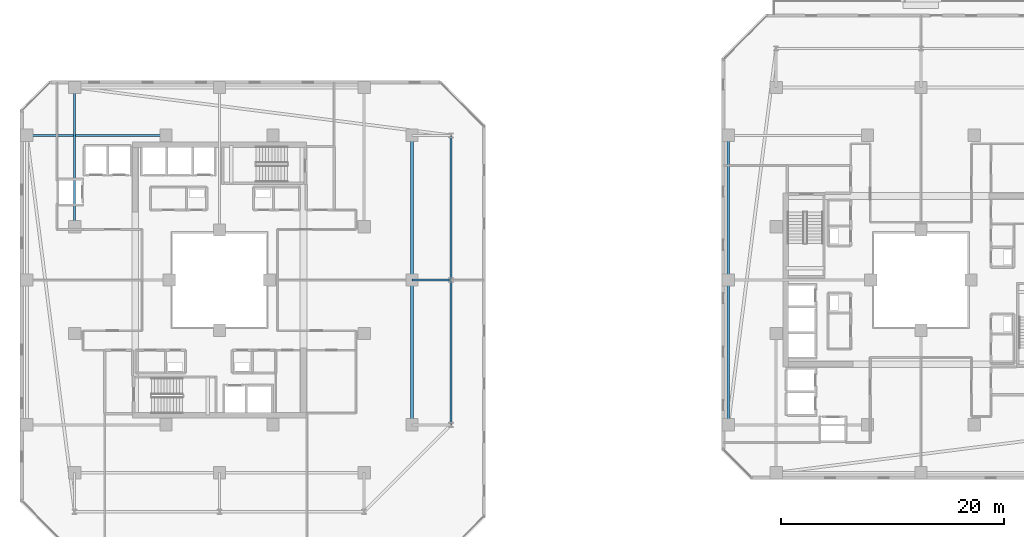
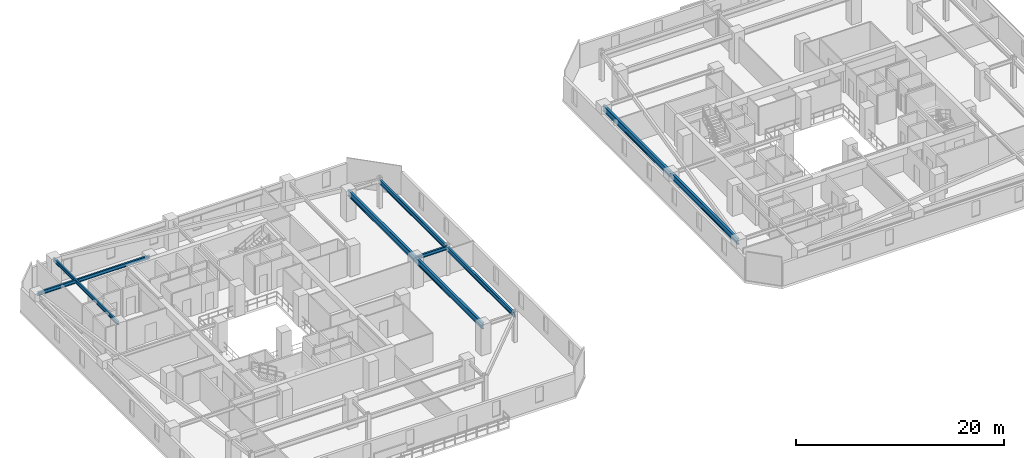
# One storey, part 7 of 32: 9 beams.
"""IFC4 building model written with IfcOpenShell, lengths in metres."""

from ifc_helpers import new_model, si_unit, direction, frame, origin, origin_2d, place, context, subcontext, project, spatial, i_section, extrude, material, material_profile, profile_set, type_object, element, save


model = new_model("IFC4")

# Units and contexts
model_context = context("Model", 3, precision=1e-05, world=origin(), true_north=direction((0.0, 1.0)))
body_context = subcontext(model_context, "Body", "Model", "MODEL_VIEW")
ifc_project = project(units=[si_unit("LENGTHUNIT", "METRE"), si_unit("AREAUNIT", "SQUARE_METRE"), si_unit("VOLUMEUNIT", "CUBIC_METRE"), si_unit("PLANEANGLEUNIT", "RADIAN"), si_unit("MASSUNIT", "GRAM", prefix="KILO")], contexts=[model_context])

# Site, building, storey
site_placement = place(None, origin())
site = spatial("IfcSite", under=ifc_project, at=site_placement, CompositionType="ELEMENT")
building_placement = place(site_placement, origin())
building = spatial("IfcBuilding", under=site, at=building_placement, Name="Thornwick Lancets Civic Towers", CompositionType="ELEMENT")
storey_placement = place(building_placement, frame((0.0, 0.0, 152.699951171875)))
storey = spatial("IfcBuildingStorey", under=building, at=storey_placement, Name="L40", CompositionType="ELEMENT", Elevation=152.699951171875)

# Beams
ifc_material = material(Name="Steel S355JR", Category="steel")
ifc_material_profile_1 = material_profile(ifc_material, i_section(OverallWidth=0.210693359375, OverallDepth=0.53955078125, WebThickness=0.01171875, FlangeThickness=0.018798828125, FilletRadius=0.0126953125, at=origin_2d()), Name="UKB 533x210x109")
ifc_profile_set_1 = profile_set([ifc_material_profile_1], Name="Steel S355JR")
beam_type_1 = type_object("IfcBeamType", Name="BM_EDGE_533_109", PredefinedType="SPANDREL", material=ifc_profile_set_1)
beam_1_placement = place(storey_placement, frame((46.300048828125, 14.0, 3.09033203125), z_axis=(0.0, 1.0, 0.0), x_axis=(-1.0, 0.0, 0.0)))
element("IfcBeam", 1, at=beam_1_placement, inside=storey, type_object=beam_type_1, Name="BM-EDGE-L40-A-S1-1", PredefinedType="SPANDREL", context=body_context, shape_type="SweptSolid", body=[
    extrude(i_section(OverallWidth=0.210693359375, OverallDepth=0.53955078125, WebThickness=0.01171875, FlangeThickness=0.018798828125, FilletRadius=0.0126953125, at=origin_2d()), origin(), (0.0, 0.0, 1.0), 13.0),
])
beam_2_placement = place(storey_placement, frame((46.300048828125, 27.080078125, 3.09033203125), z_axis=(0.0, 1.0, 0.0), x_axis=(-1.0, 0.0, 0.0)))
element("IfcBeam", 2, at=beam_2_placement, inside=storey, type_object=beam_type_1, Name="BM-EDGE-L40-A-S1-2", PredefinedType="SPANDREL", context=body_context, shape_type="SweptSolid", body=[
    extrude(i_section(OverallWidth=0.210693359375, OverallDepth=0.53955078125, WebThickness=0.01171875, FlangeThickness=0.018798828125, FilletRadius=0.0126953125, at=origin_2d()), origin(), (0.0, 0.0, 1.0), 12.919921875),
])
ifc_material_profile_2 = material_profile(ifc_material, i_section(OverallWidth=0.255859375, OverallDepth=0.69287109375, WebThickness=0.014404296875, FlangeThickness=0.023681640625, FilletRadius=0.01513671875, at=origin_2d()), Name="UKB 686x254x170")
ifc_profile_set_2 = profile_set([ifc_material_profile_2], Name="Steel S355JR")
beam_type_2 = type_object("IfcBeamType", Name="BM_GIRD_686_170", PredefinedType="BEAM", material=ifc_profile_set_2)
beam_3_placement = place(storey_placement, frame((42.800048828125, 14.0, 3.013427734375), z_axis=(0.0, 1.0, 0.0), x_axis=(-1.0, 0.0, 0.0)))
element("IfcBeam", 3, at=beam_3_placement, inside=storey, type_object=beam_type_2, Name="BM-SPINE-L40-A-3-4", PredefinedType="BEAM", context=body_context, shape_type="SweptSolid", body=[
    extrude(i_section(OverallWidth=0.255859375, OverallDepth=0.69287109375, WebThickness=0.014404296875, FlangeThickness=0.023681640625, FilletRadius=0.01513671875, at=origin_2d()), origin(), (0.0, 0.0, 1.0), 13.0),
])
beam_4_placement = place(storey_placement, frame((42.800048828125, 27.080078125, 3.013427734375), z_axis=(0.0, 1.0, 0.0), x_axis=(-1.0, 0.0, 0.0)))
element("IfcBeam", 4, at=beam_4_placement, inside=storey, type_object=beam_type_2, Name="BM-SPINE-L40-A-4-5", PredefinedType="BEAM", context=body_context, shape_type="SweptSolid", body=[
    extrude(i_section(OverallWidth=0.255859375, OverallDepth=0.69287109375, WebThickness=0.014404296875, FlangeThickness=0.023681640625, FilletRadius=0.01513671875, at=origin_2d()), origin(), (0.0, 0.0, 1.0), 12.919921875),
])
beam_5_placement = place(storey_placement, frame((71.199951171875, 14.0, 3.013427734375), z_axis=(0.0, 1.0, 0.0), x_axis=(-1.0, 0.0, 0.0)))
element("IfcBeam", 5, at=beam_5_placement, inside=storey, type_object=beam_type_2, Name="BM-SPINE-L40-B-6-7", PredefinedType="BEAM", context=body_context, shape_type="SweptSolid", body=[
    extrude(i_section(OverallWidth=0.255859375, OverallDepth=0.69287109375, WebThickness=0.014404296875, FlangeThickness=0.023681640625, FilletRadius=0.01513671875, at=origin_2d()), origin(), (0.0, 0.0, 1.0), 13.0),
])
beam_6_placement = place(storey_placement, frame((71.199951171875, 27.080078125, 3.013427734375), z_axis=(0.0, 1.0, 0.0), x_axis=(-1.0, 0.0, 0.0)))
element("IfcBeam", 6, at=beam_6_placement, inside=storey, type_object=beam_type_2, Name="BM-SPINE-L40-B-7-8", PredefinedType="BEAM", context=body_context, shape_type="SweptSolid", body=[
    extrude(i_section(OverallWidth=0.255859375, OverallDepth=0.69287109375, WebThickness=0.014404296875, FlangeThickness=0.023681640625, FilletRadius=0.01513671875, at=origin_2d()), origin(), (0.0, 0.0, 1.0), 12.919921875),
])
ifc_material_profile_3 = material_profile(ifc_material, i_section(OverallWidth=0.179443359375, OverallDepth=0.412841796875, WebThickness=0.009521484375, FlangeThickness=0.01611328125, FilletRadius=0.01025390625, at=origin_2d()), Name="UKB 406x178x74")
ifc_profile_set_3 = profile_set([ifc_material_profile_3], Name="Steel S355JR")
beam_type_3 = type_object("IfcBeamType", Name="BM_JOIST_406_74", PredefinedType="JOIST", material=ifc_profile_set_3)
beam_7_placement = place(storey_placement, frame((42.800048828125, 27.0, 3.153564453125), z_axis=(1.0, 0.0, 0.0), x_axis=(0.0, 1.0, 0.0)))
element("IfcBeam", 7, at=beam_7_placement, inside=storey, type_object=beam_type_3, Name="BM-RAD-L40-A05", PredefinedType="JOIST", context=body_context, shape_type="SweptSolid", body=[
    extrude(i_section(OverallWidth=0.179443359375, OverallDepth=0.412841796875, WebThickness=0.009521484375, FlangeThickness=0.01611328125, FilletRadius=0.01025390625, at=origin_2d()), origin(), (0.0, 0.0, 1.0), 3.5),
])
for number, where, z_axis, x_axis, name in (
    (8, (12.5, 31.800048828125, 3.153564453125), (0.0, 1.0, 0.0), (-1.0, 0.0, 0.0), "BM-RADIN-L40-A07"),
    (9, (20.699951171875, 40.0, 3.153564453125), (-1.0, 0.0, 0.0), (0.0, -1.0, 0.0), "BM-RADIN-L40-A12"),
):
    element("IfcBeam", number, at=place(storey_placement, frame(where, z_axis=z_axis, x_axis=x_axis)), inside=storey, type_object=beam_type_3, Name=name, PredefinedType="JOIST", context=body_context, shape_type="SweptSolid", body=[
        extrude(i_section(OverallWidth=0.179443359375, OverallDepth=0.412841796875, WebThickness=0.009521484375, FlangeThickness=0.01611328125, FilletRadius=0.01025390625, at=origin_2d()), origin(), (0.0, 0.0, 1.0), 12.5),
    ])

save(model, "model.ifc")
